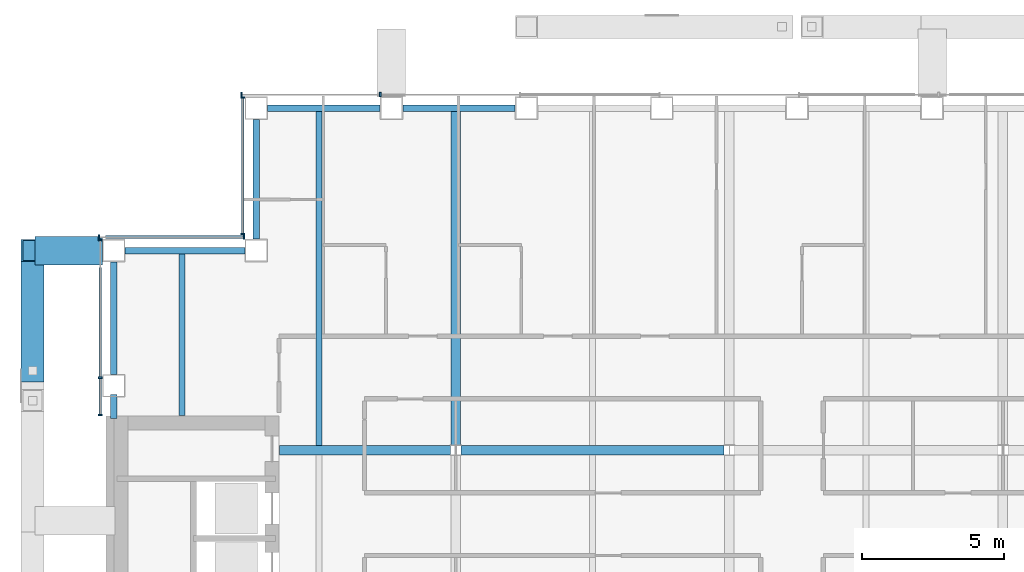
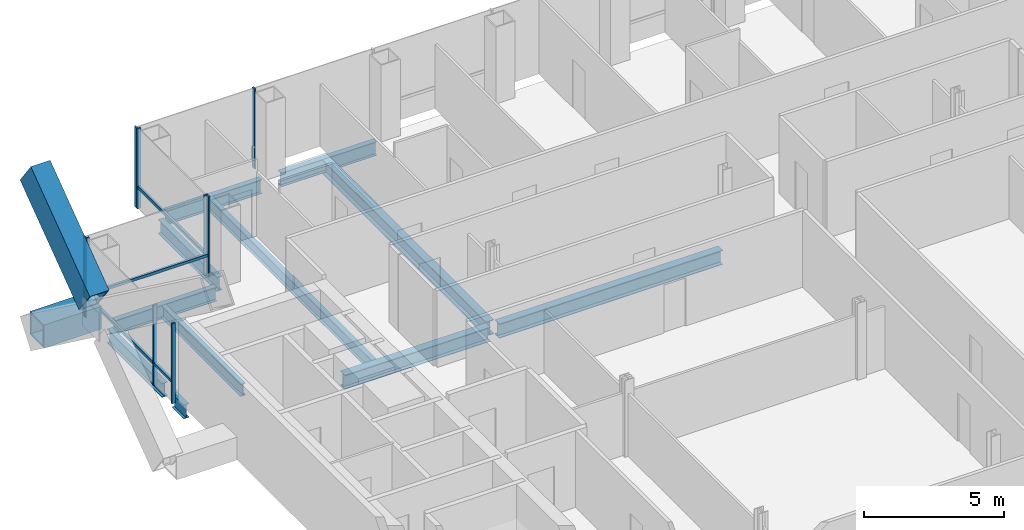
# One storey, part 8 of 18: 14 members, 12 beams, 4 elements without a shape of their own.
"""IFC4 building model written with IfcOpenShell, lengths in metres."""

from ifc_helpers import new_model, si_unit, direction, frame, origin, origin_2d, place, context, subcontext, project, spatial, rectangle, hollow_rectangle, i_section, extrude, material, material_profile, profile_set, type_object, element, aggregate, save


model = new_model("IFC4")

# Units and contexts
model_context = context("Model", 3, precision=1e-05, world=origin(), true_north=direction((0.0, 1.0)))
body_context = subcontext(model_context, "Body", "Model", "MODEL_VIEW")
ifc_project = project(units=[si_unit("LENGTHUNIT", "METRE"), si_unit("AREAUNIT", "SQUARE_METRE"), si_unit("VOLUMEUNIT", "CUBIC_METRE"), si_unit("PLANEANGLEUNIT", "RADIAN"), si_unit("MASSUNIT", "GRAM", prefix="KILO")], contexts=[model_context])

# Site, building, storey
site_placement = place(None, origin())
site = spatial("IfcSite", under=ifc_project, at=site_placement, CompositionType="ELEMENT")
building_placement = place(site_placement, origin())
building = spatial("IfcBuilding", under=site, at=building_placement, Name="Cobrizo Arcos Hotel Tower", CompositionType="ELEMENT")
storey_placement = place(building_placement, frame((0.0, 0.0, 165.5)))
storey = spatial("IfcBuildingStorey", under=building, at=storey_placement, Name="L42", CompositionType="ELEMENT", Elevation=165.5)

# Beam
ifc_material_1 = material(Name="Steel ASTM A572 Grade 50", Category="steel")
ifc_material_profile_1 = material_profile(ifc_material_1, hollow_rectangle(XDim=1.0, YDim=1.0, WallThickness=0.06005859375, at=origin_2d()), Name="BOX 1000X1000X60")
ifc_profile_set_1 = profile_set([ifc_material_profile_1], Name="Steel ASTM A572 Grade 50")
beam_type_1 = type_object("IfcBeamType", Name="BOX 1000X1000X60 brace connector strut", PredefinedType="BEAM", material=ifc_profile_set_1)
beam_1_placement = place(storey_placement, frame((-21.989990234375, 16.60009765625, 0.5), z_axis=(-1.0, 0.0, 0.0), x_axis=(0.0, -1.0, 0.0)))
element("IfcBeam", 1, at=beam_1_placement, inside=storey, type_object=beam_type_1, Name="Perimeter brace stub BS1, zone Z3, west face, offset +16.60 m, L42", PredefinedType="BEAM", context=body_context, shape_type="SweptSolid", body=[
    extrude(hollow_rectangle(XDim=1.0, YDim=1.0, WallThickness=0.06005859375, at=origin_2d()), origin(), (0.0, 0.0, 1.0), 2.380126953125),
])

# Member
ifc_material_profile_2 = material_profile(ifc_material_1, hollow_rectangle(XDim=0.800048828125, YDim=1.300048828125, WallThickness=0.06005859375, at=origin_2d()), Name="BOX 800X1300X60")
ifc_profile_set_2 = profile_set([ifc_material_profile_2], Name="Steel ASTM A572 Grade 50")
member_type_1 = type_object("IfcMemberType", Name="BOX 800X1300X60 perimeter brace", PredefinedType="BRACE", material=ifc_profile_set_2)
member_1_placement = place(storey_placement, frame((-24.449951171875, 12.38037109375, 4.385986328125), z_axis=(0.0, 0.804623858684, 0.593784848271), x_axis=(-1.0, 0.0, 0.0)))
element("IfcMember", 2, at=member_1_placement, inside=storey, type_object=member_type_1, Name="Perimeter brace PBR3, zone Z3, west face, no. 11b", PredefinedType="BRACE", context=body_context, shape_type="SweptSolid", body=[
    extrude(hollow_rectangle(XDim=0.800048828125, YDim=1.300048828125, WallThickness=0.06005859375, at=origin_2d()), origin(), (0.0, 0.0, 1.0), 5.244384765625),
])

# Curtain wall, members
ifc_material_2 = material(Name="Aluminium 6063-T6 anodised bronze", Category="aluminium")
curtain_wall_type = type_object("IfcCurtainWallType", Name="CW-A guest facade", PredefinedType="NOTDEFINED", material=ifc_material_2)
curtain_wall_1_placement = place(storey_placement, origin())
curtain_wall_1 = element("IfcCurtainWall", 3, at=curtain_wall_1_placement, inside=storey, type_object=curtain_wall_type, Name="CW-A L42 N face", PredefinedType="NOTDEFINED")
ifc_material_profile_3 = material_profile(ifc_material_2, rectangle(XDim=0.14990234375, YDim=0.06005859375, at=origin_2d()), Name="CW-A mullion 150x60")
ifc_profile_set_3 = profile_set([ifc_material_profile_3], Name="Aluminium 6063-T6 anodised bronze")
member_type_2 = type_object("IfcMemberType", Name="CW-A mullion 150x60", PredefinedType="MULLION", material=ifc_profile_set_3)
member_2_placement = place(storey_placement, frame((-12.25, 22.074951171875, 0.0), z_axis=(0.0, 0.0, 1.0), x_axis=(0.0, 1.0, 0.0)))
member_2 = element("IfcMember", 4, at=member_2_placement, type_object=member_type_2, Name="CW-A mullion 7", PredefinedType="MULLION", context=body_context, shape_type="SweptSolid", body=[
    extrude(rectangle(XDim=0.14990234375, YDim=0.06005859375, at=origin_2d()), origin(), (0.0, 0.0, 1.0), 3.5),
])
member_3_placement = place(storey_placement, frame((-17.1201171875, 22.074951171875, 0.0), z_axis=(0.0, 0.0, 1.0), x_axis=(0.0, 1.0, 0.0)))
member_3 = element("IfcMember", 5, at=member_3_placement, type_object=member_type_2, Name="CW-A mullion 8", PredefinedType="MULLION", context=body_context, shape_type="SweptSolid", body=[
    extrude(rectangle(XDim=0.14990234375, YDim=0.06005859375, at=origin_2d()), origin(), (0.0, 0.0, 1.0), 3.5),
])
aggregate(curtain_wall_1, [member_2, member_3])

curtain_wall_2_placement = place(storey_placement, origin())
curtain_wall_2 = element("IfcCurtainWall", 6, at=curtain_wall_2_placement, inside=storey, type_object=curtain_wall_type, Name="CW-A L42 W face", PredefinedType="NOTDEFINED")
member_4_placement = place(storey_placement, frame((-17.074951171875, 21.969970703125, 0.0), z_axis=(0.0, 0.0, 1.0), x_axis=(-1.0, 0.0, 0.0)))
member_4 = element("IfcMember", 7, at=member_4_placement, type_object=member_type_2, Name="CW-A mullion 1", PredefinedType="MULLION", context=body_context, shape_type="SweptSolid", body=[
    extrude(rectangle(XDim=0.14990234375, YDim=0.06005859375, at=origin_2d()), origin(), (0.0, 0.0, 1.0), 3.5),
])
member_5_placement = place(storey_placement, frame((-17.074951171875, 17.179931640625, 0.0), z_axis=(0.0, 0.0, 1.0), x_axis=(-1.0, 0.0, 0.0)))
member_5 = element("IfcMember", 8, at=member_5_placement, type_object=member_type_2, Name="CW-A mullion 2", PredefinedType="MULLION", context=body_context, shape_type="SweptSolid", body=[
    extrude(rectangle(XDim=0.14990234375, YDim=0.06005859375, at=origin_2d()), origin(), (0.0, 0.0, 1.0), 3.5),
])

curtain_wall_3_placement = place(storey_placement, origin())
curtain_wall_3 = element("IfcCurtainWall", 9, at=curtain_wall_3_placement, inside=storey, type_object=curtain_wall_type, Name="CW-A L42 N face", PredefinedType="NOTDEFINED")
member_6_placement = place(storey_placement, frame((-17.030029296875, 17.074951171875, 0.0), z_axis=(0.0, 0.0, 1.0), x_axis=(0.0, 1.0, 0.0)))
member_6 = element("IfcMember", 10, at=member_6_placement, type_object=member_type_2, Name="CW-A mullion 1", PredefinedType="MULLION", context=body_context, shape_type="SweptSolid", body=[
    extrude(rectangle(XDim=0.14990234375, YDim=0.06005859375, at=origin_2d()), origin(), (0.0, 0.0, 1.0), 3.5),
])
member_7_placement = place(storey_placement, frame((-22.1201171875, 17.074951171875, 0.0), z_axis=(0.0, 0.0, 1.0), x_axis=(0.0, 1.0, 0.0)))
member_7 = element("IfcMember", 11, at=member_7_placement, type_object=member_type_2, Name="CW-A mullion 2", PredefinedType="MULLION", context=body_context, shape_type="SweptSolid", body=[
    extrude(rectangle(XDim=0.14990234375, YDim=0.06005859375, at=origin_2d()), origin(), (0.0, 0.0, 1.0), 3.5),
])

curtain_wall_4_placement = place(storey_placement, origin())
curtain_wall_4 = element("IfcCurtainWall", 12, at=curtain_wall_4_placement, inside=storey, type_object=curtain_wall_type, Name="CW-A L42 W face", PredefinedType="NOTDEFINED")
member_8_placement = place(storey_placement, frame((-22.074951171875, 16.969970703125, 0.0), z_axis=(0.0, 0.0, 1.0), x_axis=(-1.0, 0.0, 0.0)))
member_8 = element("IfcMember", 13, at=member_8_placement, type_object=member_type_2, Name="CW-A mullion 1", PredefinedType="MULLION", context=body_context, shape_type="SweptSolid", body=[
    extrude(rectangle(XDim=0.14990234375, YDim=0.06005859375, at=origin_2d()), origin(), (0.0, 0.0, 1.0), 3.5),
])
member_9_placement = place(storey_placement, frame((-22.074951171875, 12.142822265625, 0.0), z_axis=(0.0, 0.0, 1.0), x_axis=(-1.0, 0.0, 0.0)))
member_9 = element("IfcMember", 14, at=member_9_placement, type_object=member_type_2, Name="CW-A mullion 2", PredefinedType="MULLION", context=body_context, shape_type="SweptSolid", body=[
    extrude(rectangle(XDim=0.14990234375, YDim=0.06005859375, at=origin_2d()), origin(), (0.0, 0.0, 1.0), 3.5),
])
member_10_placement = place(storey_placement, frame((-22.074951171875, 10.830078125, 0.0), z_axis=(0.0, 0.0, 1.0), x_axis=(-1.0, 0.0, 0.0)))
member_10 = element("IfcMember", 15, at=member_10_placement, type_object=member_type_2, Name="CW-A mullion 3", PredefinedType="MULLION", context=body_context, shape_type="SweptSolid", body=[
    extrude(rectangle(XDim=0.14990234375, YDim=0.06005859375, at=origin_2d()), origin(), (0.0, 0.0, 1.0), 3.5),
])

# Member
ifc_material_profile_4 = material_profile(ifc_material_2, rectangle(XDim=0.10009765625, YDim=0.1201171875, at=origin_2d()), Name="CW-A transom 120x100")
ifc_profile_set_4 = profile_set([ifc_material_profile_4], Name="Aluminium 6063-T6 anodised bronze")
member_type_3 = type_object("IfcMemberType", Name="CW-A transom 120x100", PredefinedType="USERDEFINED", material=ifc_profile_set_4)
member_11_placement = place(storey_placement, frame((-17.074951171875, 21.93994140625, 0.929931640625), z_axis=(0.0, -1.0, 0.0), x_axis=(1.0, 0.0, 0.0)))
member_11 = element("IfcMember", 16, at=member_11_placement, type_object=member_type_3, Name="CW-A transom 1508", ObjectType="TRANSOM", PredefinedType="USERDEFINED", context=body_context, shape_type="SweptSolid", body=[
    extrude(rectangle(XDim=0.10009765625, YDim=0.1201171875, at=origin_2d()), origin(), (0.0, 0.0, 1.0), 4.72998046875),
])

aggregate(curtain_wall_2, [member_4, member_5, member_11])

member_12_placement = place(storey_placement, frame((-17.06005859375, 17.074951171875, 0.929931640625), z_axis=(-1.0, 0.0, 0.0), x_axis=(0.0, -1.0, 0.0)))
member_12 = element("IfcMember", 17, at=member_12_placement, type_object=member_type_3, Name="CW-A transom 1509", ObjectType="TRANSOM", PredefinedType="USERDEFINED", context=body_context, shape_type="SweptSolid", body=[
    extrude(rectangle(XDim=0.10009765625, YDim=0.1201171875, at=origin_2d()), origin(), (0.0, 0.0, 1.0), 4.829833984375),
])

aggregate(curtain_wall_3, [member_6, member_7, member_12])

member_13_placement = place(storey_placement, frame((-22.074951171875, 16.0, 0.929931640625), z_axis=(0.0, -1.0, 0.0), x_axis=(1.0, 0.0, 0.0)))
member_13 = element("IfcMember", 18, at=member_13_placement, type_object=member_type_3, Name="CW-A transom 1510", ObjectType="TRANSOM", PredefinedType="USERDEFINED", context=body_context, shape_type="SweptSolid", body=[
    extrude(rectangle(XDim=0.10009765625, YDim=0.1201171875, at=origin_2d()), origin(), (0.0, 0.0, 1.0), 3.8271484375),
])

member_14_placement = place(storey_placement, frame((-22.074951171875, 12.11279296875, 0.929931640625), z_axis=(0.0, -1.0, 0.0), x_axis=(1.0, 0.0, 0.0)))
member_14 = element("IfcMember", 19, at=member_14_placement, type_object=member_type_3, Name="CW-A transom 1511", ObjectType="TRANSOM", PredefinedType="USERDEFINED", context=body_context, shape_type="SweptSolid", body=[
    extrude(rectangle(XDim=0.10009765625, YDim=0.1201171875, at=origin_2d()), origin(), (0.0, 0.0, 1.0), 1.252685546875),
])

aggregate(curtain_wall_4, [member_8, member_9, member_10, member_13, member_14])

# Beams
ifc_material_3 = material(Name="Steel ASTM A992 Grade 50", Category="steel")
ifc_material_profile_5 = material_profile(ifc_material_3, i_section(OverallWidth=0.209228515625, OverallDepth=0.533447265625, WebThickness=0.01025390625, FlangeThickness=0.015625, at=origin_2d()), Name="W21X62")
ifc_profile_set_5 = profile_set([ifc_material_profile_5], Name="Steel ASTM A992 Grade 50")
beam_type_2 = type_object("IfcBeamType", Name="W21X62 joist", PredefinedType="JOIST", material=ifc_profile_set_5)
beam_2_placement = place(storey_placement, frame((-19.199951171875, 10.81005859375, -0.416748046875), z_axis=(0.0, 1.0, 0.0), x_axis=(-1.0, 0.0, 0.0)))
element("IfcBeam", 20, at=beam_2_placement, inside=storey, type_object=beam_type_2, Name="Floor joist J1, L42, no. 002", PredefinedType="JOIST", context=body_context, shape_type="SweptSolid", body=[
    extrude(i_section(OverallWidth=0.209228515625, OverallDepth=0.533447265625, WebThickness=0.01025390625, FlangeThickness=0.015625, at=origin_2d()), origin(), (0.0, 0.0, 1.0), 5.699951171875),
])
beam_3_placement = place(storey_placement, frame((-14.39990234375, 9.763916015625, -0.416748046875), z_axis=(0.0, 1.0, 0.0), x_axis=(-1.0, 0.0, 0.0)))
element("IfcBeam", 21, at=beam_3_placement, inside=storey, type_object=beam_type_2, Name="Floor joist J1, L42, no. 006", PredefinedType="JOIST", context=body_context, shape_type="SweptSolid", body=[
    extrude(i_section(OverallWidth=0.209228515625, OverallDepth=0.533447265625, WebThickness=0.01025390625, FlangeThickness=0.015625, at=origin_2d()), origin(), (0.0, 0.0, 1.0), 11.74609375),
])
ifc_material_profile_6 = material_profile(ifc_material_3, i_section(OverallWidth=0.32763671875, OverallDepth=0.622314453125, WebThickness=0.015380859375, FlangeThickness=0.0244140625, at=origin_2d()), Name="W24X131")
ifc_profile_set_6 = profile_set([ifc_material_profile_6], Name="Steel ASTM A992 Grade 50")
beam_type_3 = type_object("IfcBeamType", Name="W24X131 girder", PredefinedType="BEAM", material=ifc_profile_set_6)
beam_4_placement = place(storey_placement, frame((-15.7900390625, 9.60009765625, -0.461181640625), z_axis=(1.0, 0.0, 0.0), x_axis=(0.0, 1.0, 0.0)))
element("IfcBeam", 22, at=beam_4_placement, inside=storey, type_object=beam_type_3, Name="Floor girder G1, L42, no. 009", PredefinedType="BEAM", context=body_context, shape_type="SweptSolid", body=[
    extrude(i_section(OverallWidth=0.32763671875, OverallDepth=0.622314453125, WebThickness=0.015380859375, FlangeThickness=0.0244140625, at=origin_2d()), origin(), (0.0, 0.0, 1.0), 6.00341796875),
])
beam_5_placement = place(storey_placement, frame((-9.413330078125, 9.60009765625, -0.461181640625), z_axis=(1.0, 0.0, 0.0), x_axis=(0.0, 1.0, 0.0)))
element("IfcBeam", 23, at=beam_5_placement, inside=storey, type_object=beam_type_3, Name="Floor girder G1, L42, no. 010", PredefinedType="BEAM", context=body_context, shape_type="SweptSolid", body=[
    extrude(i_section(OverallWidth=0.32763671875, OverallDepth=0.622314453125, WebThickness=0.015380859375, FlangeThickness=0.0244140625, at=origin_2d()), origin(), (0.0, 0.0, 1.0), 9.2265625),
])
beam_6_placement = place(storey_placement, frame((-9.60009765625, 9.78662109375, -0.461181640625), z_axis=(0.0, 1.0, 0.0), x_axis=(-1.0, 0.0, 0.0)))
element("IfcBeam", 24, at=beam_6_placement, inside=storey, type_object=beam_type_3, Name="Floor girder G1, L42, no. 016", PredefinedType="BEAM", context=body_context, shape_type="SweptSolid", body=[
    extrude(i_section(OverallWidth=0.32763671875, OverallDepth=0.622314453125, WebThickness=0.015380859375, FlangeThickness=0.0244140625, at=origin_2d()), origin(), (0.0, 0.0, 1.0), 11.723388671875),
])
ifc_material_profile_7 = material_profile(ifc_material_3, i_section(OverallWidth=0.228271484375, OverallDepth=0.607177734375, WebThickness=0.01123046875, FlangeThickness=0.017333984375, at=origin_2d()), Name="W24X76")
ifc_profile_set_7 = profile_set([ifc_material_profile_7], Name="Steel ASTM A992 Grade 50")
beam_type_4 = type_object("IfcBeamType", Name="W24X76 spandrel", PredefinedType="SPANDREL", material=ifc_profile_set_7)
beam_7_placement = place(storey_placement, frame((-7.513916015625, 21.60009765625, -0.45361328125), z_axis=(-1.0, 0.0, 0.0), x_axis=(0.0, -1.0, 0.0)))
element("IfcBeam", 25, at=beam_7_placement, inside=storey, type_object=beam_type_4, Name="Spandrel beam W24X76, L42, no. 021", PredefinedType="SPANDREL", context=body_context, shape_type="SweptSolid", body=[
    extrude(i_section(OverallWidth=0.228271484375, OverallDepth=0.607177734375, WebThickness=0.01123046875, FlangeThickness=0.017333984375, at=origin_2d()), origin(), (0.0, 0.0, 1.0), 3.943115234375),
])
beam_8_placement = place(storey_placement, frame((-12.257080078125, 21.60009765625, -0.45361328125), z_axis=(-1.0, 0.0, 0.0), x_axis=(0.0, -1.0, 0.0)))
element("IfcBeam", 26, at=beam_8_placement, inside=storey, type_object=beam_type_4, Name="Spandrel beam W24X76, L42, no. 022", PredefinedType="SPANDREL", context=body_context, shape_type="SweptSolid", body=[
    extrude(i_section(OverallWidth=0.228271484375, OverallDepth=0.607177734375, WebThickness=0.01123046875, FlangeThickness=0.017333984375, at=origin_2d()), origin(), (0.0, 0.0, 1.0), 3.94287109375),
])
for number, where, z_axis, x_axis, name in (
    (27, (-16.60009765625, 21.199951171875, -0.45361328125), (0.0, -1.0, 0.0), (1.0, 0.0, 0.0), "Spandrel beam W24X76, L42, no. 023"),
    (28, (-17.0, 16.60009765625, -0.45361328125), (-1.0, 0.0, 0.0), (0.0, -1.0, 0.0), "Spandrel beam W24X76, L42, no. 024"),
):
    element("IfcBeam", number, at=place(storey_placement, frame(where, z_axis=z_axis, x_axis=x_axis)), inside=storey, type_object=beam_type_4, Name=name, PredefinedType="SPANDREL", context=body_context, shape_type="SweptSolid", body=[
        extrude(i_section(OverallWidth=0.228271484375, OverallDepth=0.607177734375, WebThickness=0.01123046875, FlangeThickness=0.017333984375, at=origin_2d()), origin(), (0.0, 0.0, 1.0), 4.199951171875),
    ])
beam_9_placement = place(storey_placement, frame((-21.60009765625, 16.199951171875, -0.45361328125), z_axis=(0.0, -1.0, 0.0), x_axis=(1.0, 0.0, 0.0)))
element("IfcBeam", 29, at=beam_9_placement, inside=storey, type_object=beam_type_4, Name="Spandrel beam W24X76, L42, no. 025", PredefinedType="SPANDREL", context=body_context, shape_type="SweptSolid", body=[
    extrude(i_section(OverallWidth=0.228271484375, OverallDepth=0.607177734375, WebThickness=0.01123046875, FlangeThickness=0.017333984375, at=origin_2d()), origin(), (0.0, 0.0, 1.0), 3.94287109375),
])
beam_10_placement = place(storey_placement, frame((-21.60009765625, 11.556884765625, -0.45361328125), z_axis=(0.0, -1.0, 0.0), x_axis=(1.0, 0.0, 0.0)))
element("IfcBeam", 30, at=beam_10_placement, inside=storey, type_object=beam_type_4, Name="Spandrel beam W24X76, L42, no. 026", PredefinedType="SPANDREL", context=body_context, shape_type="SweptSolid", body=[
    extrude(i_section(OverallWidth=0.228271484375, OverallDepth=0.607177734375, WebThickness=0.01123046875, FlangeThickness=0.017333984375, at=origin_2d()), origin(), (0.0, 0.0, 1.0), 0.846923828125),
])

save(model, "model.ifc")
